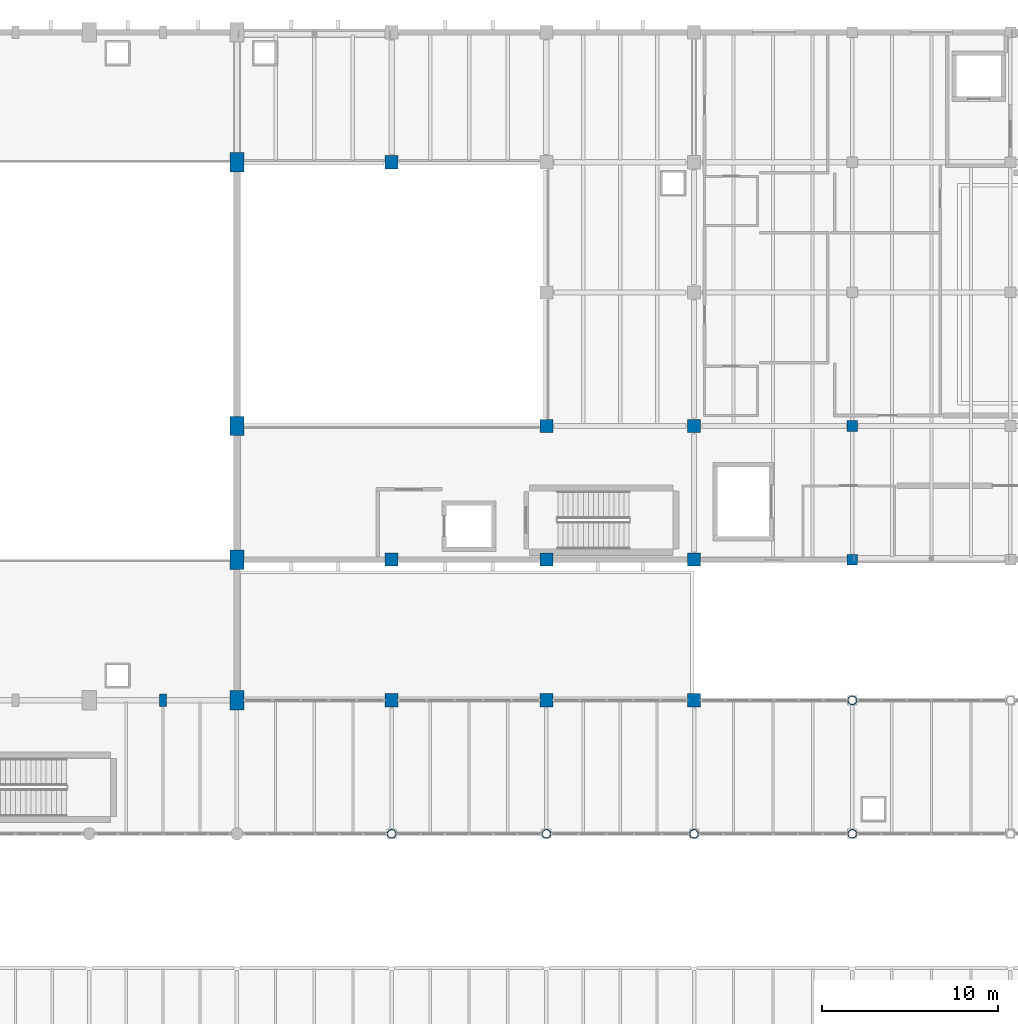
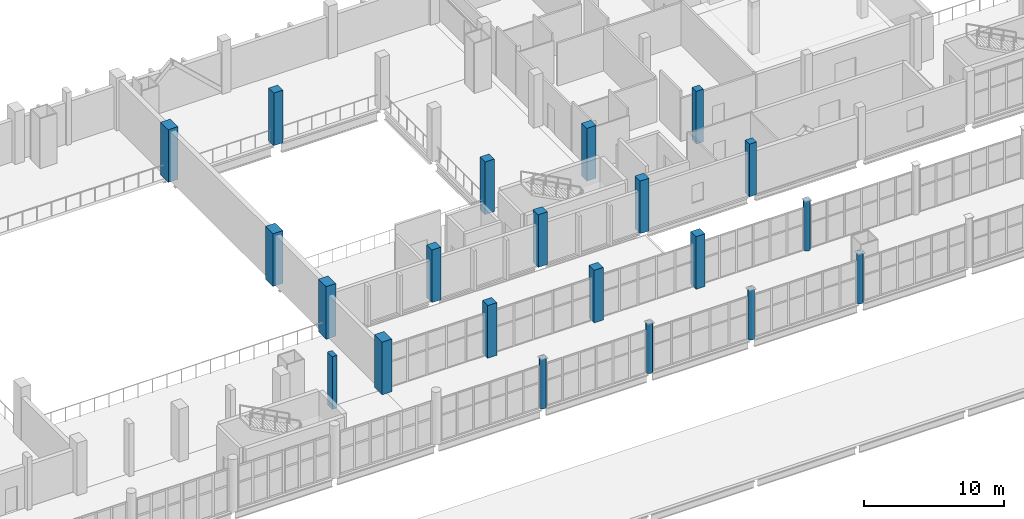
# One storey, part 5 of 136: 21 columns.
"""IFC4 building model written with IfcOpenShell, lengths in metres."""

from ifc_helpers import new_model, si_unit, direction, frame, origin, origin_2d, place, context, subcontext, project, spatial, rectangle, hollow_circle, extrude, material, material_profile, profile_set, type_object, element, save


model = new_model("IFC4")

# Units and contexts
model_context = context("Model", 3, precision=1e-05, world=origin(), true_north=direction((0.0, 1.0)))
body_context = subcontext(model_context, "Body", "Model", "MODEL_VIEW")
ifc_project = project(units=[si_unit("LENGTHUNIT", "METRE"), si_unit("AREAUNIT", "SQUARE_METRE"), si_unit("VOLUMEUNIT", "CUBIC_METRE"), si_unit("PLANEANGLEUNIT", "RADIAN"), si_unit("MASSUNIT", "GRAM", prefix="KILO")], contexts=[model_context])

# Site, building, storey
site_placement = place(None, origin())
site = spatial("IfcSite", under=ifc_project, at=site_placement, CompositionType="ELEMENT")
building_placement = place(site_placement, origin())
building = spatial("IfcBuilding", under=site, at=building_placement, Name="Shengluoqiao Park Theatre", CompositionType="ELEMENT")
storey_placement = place(building_placement, frame((0.0, 0.0, 10.0)))
storey = spatial("IfcBuildingStorey", under=building, at=storey_placement, Name="L02", CompositionType="ELEMENT", Elevation=10.0)

# Columns
ifc_material_1 = material(Name="Steel Q390", Category="steel")
ifc_material_profile_1 = material_profile(ifc_material_1, hollow_circle(Radius=0.25390625, WallThickness=0.02001953125, at=origin_2d()), Name="CHS 508x20")
ifc_profile_set_1 = profile_set([ifc_material_profile_1], Name="Steel Q390")
column_type_1 = type_object("IfcColumnType", Name="STR-COL-C-CHS508", PredefinedType="COLUMN", material=ifc_profile_set_1)
for number, where, z_axis, x_axis, name in (
    (1, (95.199951171875, 68.39990234375, 0.0), (0.0, 0.0, 1.0), (1.0, 0.0, 0.0), "L02 Column 0463"),
    (2, (104.0, 68.39990234375, 0.0), (0.0, 0.0, 1.0), (1.0, 0.0, 0.0), "L02 Column 0497"),
    (3, (112.39990234375, 68.39990234375, 0.0), (0.0, 0.0, 1.0), (1.0, 0.0, 0.0), "L02 Column 0543"),
    (4, (121.39990234375, 68.39990234375, 0.0), (0.0, 0.0, 1.0), (1.0, 0.0, 0.0), "L02 Column 0589"),
    (5, (121.39990234375, 76.0, 0.0), (0.0, 0.0, 1.0), (1.0, 0.0, 0.0), "L02 Column 0592"),
):
    element("IfcColumn", number, at=place(storey_placement, frame(where, z_axis=z_axis, x_axis=x_axis)), inside=storey, type_object=column_type_1, Name=name, PredefinedType="COLUMN", context=body_context, shape_type="SweptSolid", body=[
        extrude(hollow_circle(Radius=0.25390625, WallThickness=0.02001953125, at=origin_2d()), origin(), (0.0, 0.0, 1.0), 4.35009765625),
    ])
ifc_material_2 = material(Name="Concrete C50", Category="concrete")
ifc_material_profile_2 = material_profile(ifc_material_2, rectangle(XDim=0.39990234375, YDim=0.699951171875, at=origin_2d()), Name="RC PILASTER 400x700")
ifc_profile_set_2 = profile_set([ifc_material_profile_2], Name="Concrete C50")
column_type_2 = type_object("IfcColumnType", Name="STR-COL-C-PIL4070", PredefinedType="PILASTER", material=ifc_profile_set_2)
column_placement = place(storey_placement, frame((82.199951171875, 76.0, 0.0), z_axis=(0.0, 0.0, 1.0), x_axis=(1.0, 0.0, 0.0)))
element("IfcColumn", 6, at=column_placement, inside=storey, type_object=column_type_2, Name="L02 Column 0408", PredefinedType="PILASTER", context=body_context, shape_type="SweptSolid", body=[
    extrude(rectangle(XDim=0.39990234375, YDim=0.699951171875, at=origin_2d()), origin(), (0.0, 0.0, 1.0), 4.60009765625),
])
ifc_material_3 = material(Name="Concrete C40", Category="concrete")
ifc_material_profile_3 = material_profile(ifc_material_3, rectangle(XDim=0.60009765625, YDim=0.60009765625, at=origin_2d()), Name="RC 600x600")
ifc_profile_set_3 = profile_set([ifc_material_profile_3], Name="Concrete C40")
column_type_3 = type_object("IfcColumnType", Name="STR-COL-C-RC600", PredefinedType="COLUMN", material=ifc_profile_set_3)
for number, where, z_axis, x_axis, name in (
    (7, (121.39990234375, 84.0, 0.0), (0.0, 0.0, 1.0), (1.0, 0.0, 0.0), "L02 Column 0596"),
    (8, (121.39990234375, 91.60009765625, 0.0), (0.0, 0.0, 1.0), (1.0, 0.0, 0.0), "L02 Column 0603"),
):
    element("IfcColumn", number, at=place(storey_placement, frame(where, z_axis=z_axis, x_axis=x_axis)), inside=storey, type_object=column_type_3, Name=name, PredefinedType="COLUMN", context=body_context, shape_type="SweptSolid", body=[
        extrude(rectangle(XDim=0.60009765625, YDim=0.60009765625, at=origin_2d()), origin(), (0.0, 0.0, 1.0), 4.60009765625),
    ])
ifc_material_profile_4 = material_profile(ifc_material_2, rectangle(XDim=0.75, YDim=0.75, at=origin_2d()), Name="RC 750x750")
ifc_profile_set_4 = profile_set([ifc_material_profile_4], Name="Concrete C50")
column_type_4 = type_object("IfcColumnType", Name="STR-COL-C-RC750", PredefinedType="COLUMN", material=ifc_profile_set_4)
for number, where, z_axis, x_axis, name in (
    (9, (95.199951171875, 76.0, 0.0), (0.0, 0.0, 1.0), (1.0, 0.0, 0.0), "L02 Column 0467"),
    (10, (95.199951171875, 84.0, 0.0), (0.0, 0.0, 1.0), (1.0, 0.0, 0.0), "L02 Column 0471"),
    (11, (95.199951171875, 106.60009765625, 0.0), (0.0, 0.0, 1.0), (1.0, 0.0, 0.0), "L02 Column 0480"),
    (12, (104.0, 76.0, 0.0), (0.0, 0.0, 1.0), (1.0, 0.0, 0.0), "L02 Column 0501"),
    (13, (104.0, 84.0, 0.0), (0.0, 0.0, 1.0), (1.0, 0.0, 0.0), "L02 Column 0505"),
    (14, (104.0, 91.60009765625, 0.0), (0.0, 0.0, 1.0), (1.0, 0.0, 0.0), "L02 Column 0512"),
    (15, (112.39990234375, 76.0, 0.0), (0.0, 0.0, 1.0), (1.0, 0.0, 0.0), "L02 Column 0547"),
    (16, (112.39990234375, 84.0, 0.0), (0.0, 0.0, 1.0), (1.0, 0.0, 0.0), "L02 Column 0551"),
    (17, (112.39990234375, 91.60009765625, 0.0), (0.0, 0.0, 1.0), (1.0, 0.0, 0.0), "L02 Column 0558"),
):
    element("IfcColumn", number, at=place(storey_placement, frame(where, z_axis=z_axis, x_axis=x_axis)), inside=storey, type_object=column_type_4, Name=name, PredefinedType="COLUMN", context=body_context, shape_type="SweptSolid", body=[
        extrude(rectangle(XDim=0.75, YDim=0.75, at=origin_2d()), origin(), (0.0, 0.0, 1.0), 4.60009765625),
    ])
ifc_material_profile_5 = material_profile(ifc_material_2, rectangle(XDim=0.800048828125, YDim=1.10009765625, at=origin_2d()), Name="RC 800x1100")
ifc_profile_set_5 = profile_set([ifc_material_profile_5], Name="Concrete C50")
column_type_5 = type_object("IfcColumnType", Name="STR-COL-C-RC8011", PredefinedType="COLUMN", material=ifc_profile_set_5)
for number, where, z_axis, x_axis, name in (
    (18, (86.39990234375, 76.0, 0.0), (0.0, 0.0, 1.0), (1.0, 0.0, 0.0), "L02 Column 0426"),
    (19, (86.39990234375, 84.0, 0.0), (0.0, 0.0, 1.0), (1.0, 0.0, 0.0), "L02 Column 0431"),
    (20, (86.39990234375, 91.60009765625, 0.0), (0.0, 0.0, 1.0), (1.0, 0.0, 0.0), "L02 Column 0438"),
    (21, (86.39990234375, 106.60009765625, 0.0), (0.0, 0.0, 1.0), (1.0, 0.0, 0.0), "L02 Column 0446"),
):
    element("IfcColumn", number, at=place(storey_placement, frame(where, z_axis=z_axis, x_axis=x_axis)), inside=storey, type_object=column_type_5, Name=name, PredefinedType="COLUMN", context=body_context, shape_type="SweptSolid", body=[
        extrude(rectangle(XDim=0.800048828125, YDim=1.10009765625, at=origin_2d()), origin(), (0.0, 0.0, 1.0), 4.60009765625),
    ])

save(model, "model.ifc")
